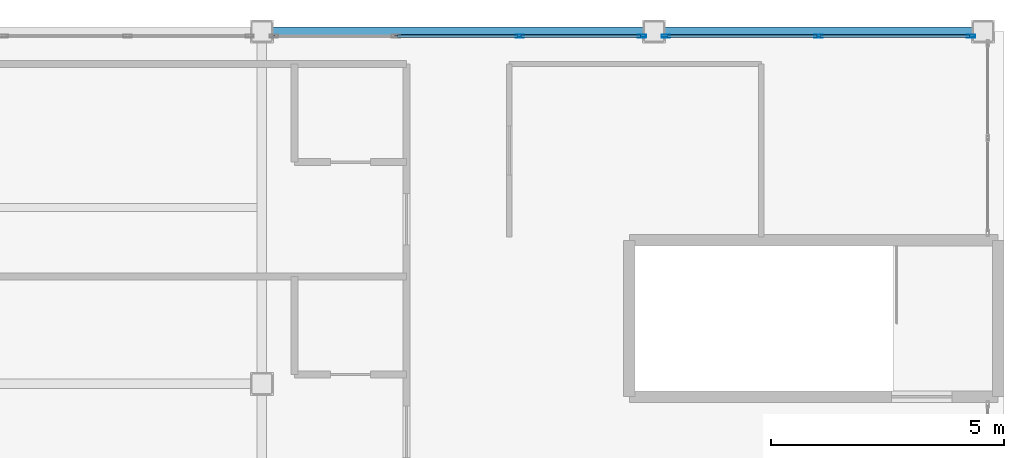
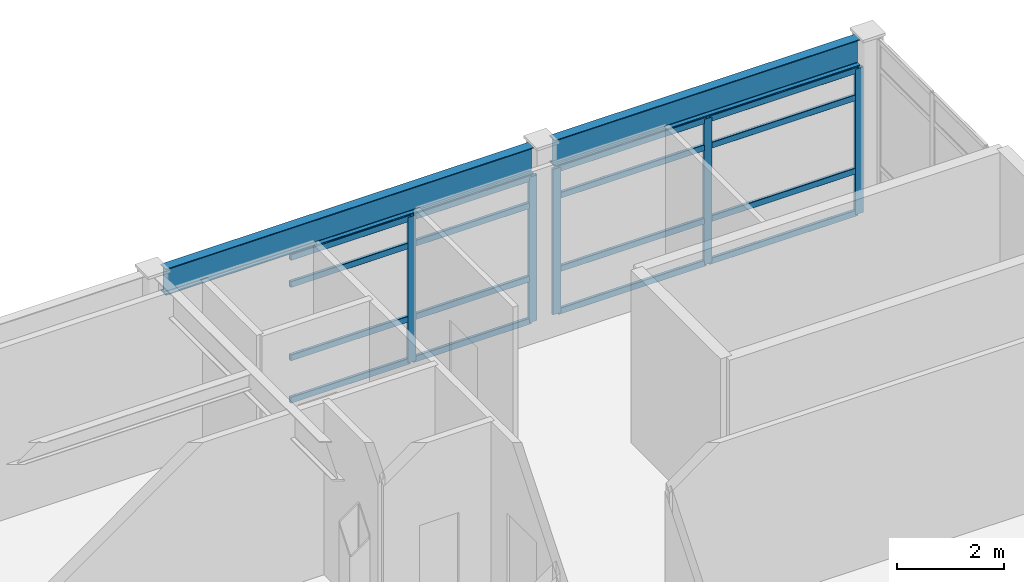
# One storey, part 26 of 34: 21 members, 2 beams, 2 elements without a shape of their own.
"""IFC4 building model written with IfcOpenShell, lengths in metres."""

from ifc_helpers import new_model, si_unit, direction, frame, origin, origin_2d, place, context, subcontext, project, spatial, hollow_rectangle, i_section, extrude, material, layer, layer_set, material_profile, profile_set, type_object, element, aggregate, save


model = new_model("IFC4")

# Units and contexts
model_context = context("Model", 3, precision=1e-05, world=origin(), true_north=direction((0.0, 1.0)))
body_context = subcontext(model_context, "Body", "Model", "MODEL_VIEW")
ifc_project = project(units=[si_unit("LENGTHUNIT", "METRE"), si_unit("AREAUNIT", "SQUARE_METRE"), si_unit("VOLUMEUNIT", "CUBIC_METRE"), si_unit("PLANEANGLEUNIT", "RADIAN"), si_unit("MASSUNIT", "GRAM", prefix="KILO")], contexts=[model_context])

# Site, building, storey
site_placement = place(None, origin())
site = spatial("IfcSite", under=ifc_project, at=site_placement, CompositionType="ELEMENT")
building_placement = place(site_placement, origin())
building = spatial("IfcBuilding", under=site, at=building_placement, Name="Kazehara Bluff Congress Hotel", CompositionType="ELEMENT")
storey_placement = place(building_placement, frame((0.0, 0.0, 46.199951171875)))
storey = spatial("IfcBuildingStorey", under=building, at=storey_placement, Name="L11", CompositionType="ELEMENT", Elevation=46.199951171875)

# Curtain wall, members
ifc_material_1 = material(Name="Anodised aluminium", Category="aluminium")
ifc_layer_1 = layer(ifc_material_1, 0.159912109375)
ifc_layer_set_1 = layer_set([ifc_layer_1], Name="Anodised aluminium")
curtain_wall_type_1 = type_object("IfcCurtainWallType", Name="TP-CW-206", PredefinedType="NOTDEFINED", material=ifc_layer_set_1)
curtain_wall_1_placement = place(storey_placement, origin())
curtain_wall_1 = element("IfcCurtainWall", 1, at=curtain_wall_1_placement, inside=storey, type_object=curtain_wall_type_1, Name="L11 curtain wall CW-206 CW-ENC-V5-L11-15630-8080", PredefinedType="NOTDEFINED")
ifc_material_2 = material(Name="Anodised aluminium", Category="aluminium")
ifc_material_profile_1 = material_profile(ifc_material_2, hollow_rectangle(XDim=0.06494140625, YDim=0.179931640625, WallThickness=0.00390625, InnerFilletRadius=0.00390625, OuterFilletRadius=0.008056640625, at=origin_2d()))
ifc_profile_set_1 = profile_set([ifc_material_profile_1], Name="Anodised aluminium")
member_type_1 = type_object("IfcMemberType", Name="TP-CWM-02", PredefinedType="MULLION", material=ifc_profile_set_1)
member_1_placement = place(storey_placement, frame((157.625, 80.800048828125, 0.0), z_axis=(0.0, 0.0, 1.0), x_axis=(0.0, 1.0, 0.0)))
member_1 = element("IfcMember", 2, at=member_1_placement, type_object=member_type_1, Name="CW-206 mullion 3", PredefinedType="MULLION", context=body_context, shape_type="SweptSolid", body=[
    extrude(hollow_rectangle(XDim=0.06494140625, YDim=0.179931640625, WallThickness=0.00390625, InnerFilletRadius=0.00390625, OuterFilletRadius=0.008056640625, at=origin_2d()), origin(), (0.0, 0.0, 1.0), 3.324951171875),
])
member_2_placement = place(storey_placement, frame((160.242431640625, 80.800048828125, 0.0), z_axis=(0.0, 0.0, 1.0), x_axis=(0.0, 1.0, 0.0)))
member_2 = element("IfcMember", 3, at=member_2_placement, type_object=member_type_1, Name="CW-206 mullion 4", PredefinedType="MULLION", context=body_context, shape_type="SweptSolid", body=[
    extrude(hollow_rectangle(XDim=0.06494140625, YDim=0.179931640625, WallThickness=0.00390625, InnerFilletRadius=0.00390625, OuterFilletRadius=0.008056640625, at=origin_2d()), origin(), (0.0, 0.0, 1.0), 3.324951171875),
])

ifc_material_3 = material(Name="Anodised aluminium", Category="aluminium")
ifc_layer_2 = layer(ifc_material_3, 0.159912109375)
ifc_layer_set_2 = layer_set([ifc_layer_2], Name="Anodised aluminium")
curtain_wall_type_2 = type_object("IfcCurtainWallType", Name="TP-CW-211", PredefinedType="NOTDEFINED", material=ifc_layer_set_2)
curtain_wall_2_placement = place(storey_placement, origin())
curtain_wall_2 = element("IfcCurtainWall", 4, at=curtain_wall_2_placement, inside=storey, type_object=curtain_wall_type_2, Name="L11 curtain wall CW-211 CW-ENC-V5-L11-16402-8080", PredefinedType="NOTDEFINED")
member_3_placement = place(storey_placement, frame((160.757568359375, 80.800048828125, 0.0), z_axis=(0.0, 0.0, 1.0), x_axis=(0.0, 1.0, 0.0)))
member_3 = element("IfcMember", 5, at=member_3_placement, type_object=member_type_1, Name="CW-211 mullion 1", PredefinedType="MULLION", context=body_context, shape_type="SweptSolid", body=[
    extrude(hollow_rectangle(XDim=0.06494140625, YDim=0.179931640625, WallThickness=0.00390625, InnerFilletRadius=0.00390625, OuterFilletRadius=0.008056640625, at=origin_2d()), origin(), (0.0, 0.0, 1.0), 3.324951171875),
])
member_4_placement = place(storey_placement, frame((164.02490234375, 80.800048828125, 0.0), z_axis=(0.0, 0.0, 1.0), x_axis=(0.0, 1.0, 0.0)))
member_4 = element("IfcMember", 6, at=member_4_placement, type_object=member_type_1, Name="CW-211 mullion 2", PredefinedType="MULLION", context=body_context, shape_type="SweptSolid", body=[
    extrude(hollow_rectangle(XDim=0.06494140625, YDim=0.179931640625, WallThickness=0.00390625, InnerFilletRadius=0.00390625, OuterFilletRadius=0.008056640625, at=origin_2d()), origin(), (0.0, 0.0, 1.0), 3.324951171875),
])
member_5_placement = place(storey_placement, frame((167.29248046875, 80.800048828125, 0.0), z_axis=(0.0, 0.0, 1.0), x_axis=(0.0, 1.0, 0.0)))
member_5 = element("IfcMember", 7, at=member_5_placement, type_object=member_type_1, Name="CW-211 mullion 3", PredefinedType="MULLION", context=body_context, shape_type="SweptSolid", body=[
    extrude(hollow_rectangle(XDim=0.06494140625, YDim=0.179931640625, WallThickness=0.00390625, InnerFilletRadius=0.00390625, OuterFilletRadius=0.008056640625, at=origin_2d()), origin(), (0.0, 0.0, 1.0), 3.324951171875),
])

# Member
ifc_material_4 = material(Name="Anodised aluminium", Category="aluminium")
ifc_material_profile_2 = material_profile(ifc_material_4, hollow_rectangle(XDim=0.06494140625, YDim=0.139892578125, WallThickness=0.00390625, InnerFilletRadius=0.00390625, OuterFilletRadius=0.008056640625, at=origin_2d()))
ifc_profile_set_2 = profile_set([ifc_material_profile_2], Name="Anodised aluminium")
member_type_2 = type_object("IfcMemberType", Name="TP-CWT-02", PredefinedType="USERDEFINED", material=ifc_profile_set_2)
member_6_placement = place(storey_placement, frame((155.007568359375, 80.800048828125, 0.032470703125), z_axis=(1.0, 0.0, 0.0), x_axis=(0.0, 1.0, 0.0)))
member_6 = element("IfcMember", 8, at=member_6_placement, type_object=member_type_2, Name="CW-206 transom 2.1", ObjectType="TRANSOM", PredefinedType="USERDEFINED", context=body_context, shape_type="SweptSolid", body=[
    extrude(hollow_rectangle(XDim=0.06494140625, YDim=0.139892578125, WallThickness=0.00390625, InnerFilletRadius=0.00390625, OuterFilletRadius=0.008056640625, at=origin_2d()), origin(), (0.0, 0.0, 1.0), 2.5849609375),
])

member_7_placement = place(storey_placement, frame((155.007568359375, 80.800048828125, 1.0), z_axis=(1.0, 0.0, 0.0), x_axis=(0.0, 1.0, 0.0)))
member_7 = element("IfcMember", 9, at=member_7_placement, type_object=member_type_2, Name="CW-206 transom 2.2", ObjectType="TRANSOM", PredefinedType="USERDEFINED", context=body_context, shape_type="SweptSolid", body=[
    extrude(hollow_rectangle(XDim=0.06494140625, YDim=0.139892578125, WallThickness=0.00390625, InnerFilletRadius=0.00390625, OuterFilletRadius=0.008056640625, at=origin_2d()), origin(), (0.0, 0.0, 1.0), 2.5849609375),
])

member_8_placement = place(storey_placement, frame((155.007568359375, 80.800048828125, 2.675048828125), z_axis=(1.0, 0.0, 0.0), x_axis=(0.0, 1.0, 0.0)))
member_8 = element("IfcMember", 10, at=member_8_placement, type_object=member_type_2, Name="CW-206 transom 2.3", ObjectType="TRANSOM", PredefinedType="USERDEFINED", context=body_context, shape_type="SweptSolid", body=[
    extrude(hollow_rectangle(XDim=0.06494140625, YDim=0.139892578125, WallThickness=0.00390625, InnerFilletRadius=0.00390625, OuterFilletRadius=0.008056640625, at=origin_2d()), origin(), (0.0, 0.0, 1.0), 2.5849609375),
])

member_9_placement = place(storey_placement, frame((155.007568359375, 80.800048828125, 3.29248046875), z_axis=(1.0, 0.0, 0.0), x_axis=(0.0, 1.0, 0.0)))
member_9 = element("IfcMember", 11, at=member_9_placement, type_object=member_type_2, Name="CW-206 transom 2.4", ObjectType="TRANSOM", PredefinedType="USERDEFINED", context=body_context, shape_type="SweptSolid", body=[
    extrude(hollow_rectangle(XDim=0.06494140625, YDim=0.139892578125, WallThickness=0.00390625, InnerFilletRadius=0.00390625, OuterFilletRadius=0.008056640625, at=origin_2d()), origin(), (0.0, 0.0, 1.0), 2.5849609375),
])

member_10_placement = place(storey_placement, frame((157.657470703125, 80.800048828125, 0.032470703125), z_axis=(1.0, 0.0, 0.0), x_axis=(0.0, 1.0, 0.0)))
member_10 = element("IfcMember", 12, at=member_10_placement, type_object=member_type_2, Name="CW-206 transom 3.1", ObjectType="TRANSOM", PredefinedType="USERDEFINED", context=body_context, shape_type="SweptSolid", body=[
    extrude(hollow_rectangle(XDim=0.06494140625, YDim=0.139892578125, WallThickness=0.00390625, InnerFilletRadius=0.00390625, OuterFilletRadius=0.008056640625, at=origin_2d()), origin(), (0.0, 0.0, 1.0), 2.552490234375),
])

member_11_placement = place(storey_placement, frame((157.657470703125, 80.800048828125, 1.0), z_axis=(1.0, 0.0, 0.0), x_axis=(0.0, 1.0, 0.0)))
member_11 = element("IfcMember", 13, at=member_11_placement, type_object=member_type_2, Name="CW-206 transom 3.2", ObjectType="TRANSOM", PredefinedType="USERDEFINED", context=body_context, shape_type="SweptSolid", body=[
    extrude(hollow_rectangle(XDim=0.06494140625, YDim=0.139892578125, WallThickness=0.00390625, InnerFilletRadius=0.00390625, OuterFilletRadius=0.008056640625, at=origin_2d()), origin(), (0.0, 0.0, 1.0), 2.552490234375),
])

member_12_placement = place(storey_placement, frame((157.657470703125, 80.800048828125, 2.675048828125), z_axis=(1.0, 0.0, 0.0), x_axis=(0.0, 1.0, 0.0)))
member_12 = element("IfcMember", 14, at=member_12_placement, type_object=member_type_2, Name="CW-206 transom 3.3", ObjectType="TRANSOM", PredefinedType="USERDEFINED", context=body_context, shape_type="SweptSolid", body=[
    extrude(hollow_rectangle(XDim=0.06494140625, YDim=0.139892578125, WallThickness=0.00390625, InnerFilletRadius=0.00390625, OuterFilletRadius=0.008056640625, at=origin_2d()), origin(), (0.0, 0.0, 1.0), 2.552490234375),
])

member_13_placement = place(storey_placement, frame((157.657470703125, 80.800048828125, 3.29248046875), z_axis=(1.0, 0.0, 0.0), x_axis=(0.0, 1.0, 0.0)))
member_13 = element("IfcMember", 15, at=member_13_placement, type_object=member_type_2, Name="CW-206 transom 3.4", ObjectType="TRANSOM", PredefinedType="USERDEFINED", context=body_context, shape_type="SweptSolid", body=[
    extrude(hollow_rectangle(XDim=0.06494140625, YDim=0.139892578125, WallThickness=0.00390625, InnerFilletRadius=0.00390625, OuterFilletRadius=0.008056640625, at=origin_2d()), origin(), (0.0, 0.0, 1.0), 2.552490234375),
])

aggregate(curtain_wall_1, [member_1, member_2, member_6, member_7, member_8, member_9, member_10, member_11, member_12, member_13])

member_14_placement = place(storey_placement, frame((160.7900390625, 80.800048828125, 0.032470703125), z_axis=(1.0, 0.0, 0.0), x_axis=(0.0, 1.0, 0.0)))
member_14 = element("IfcMember", 16, at=member_14_placement, type_object=member_type_2, Name="CW-211 transom 1.1", ObjectType="TRANSOM", PredefinedType="USERDEFINED", context=body_context, shape_type="SweptSolid", body=[
    extrude(hollow_rectangle(XDim=0.06494140625, YDim=0.139892578125, WallThickness=0.00390625, InnerFilletRadius=0.00390625, OuterFilletRadius=0.008056640625, at=origin_2d()), origin(), (0.0, 0.0, 1.0), 3.202392578125),
])

member_15_placement = place(storey_placement, frame((160.7900390625, 80.800048828125, 1.0), z_axis=(1.0, 0.0, 0.0), x_axis=(0.0, 1.0, 0.0)))
member_15 = element("IfcMember", 17, at=member_15_placement, type_object=member_type_2, Name="CW-211 transom 1.2", ObjectType="TRANSOM", PredefinedType="USERDEFINED", context=body_context, shape_type="SweptSolid", body=[
    extrude(hollow_rectangle(XDim=0.06494140625, YDim=0.139892578125, WallThickness=0.00390625, InnerFilletRadius=0.00390625, OuterFilletRadius=0.008056640625, at=origin_2d()), origin(), (0.0, 0.0, 1.0), 3.202392578125),
])

member_16_placement = place(storey_placement, frame((160.7900390625, 80.800048828125, 2.675048828125), z_axis=(1.0, 0.0, 0.0), x_axis=(0.0, 1.0, 0.0)))
member_16 = element("IfcMember", 18, at=member_16_placement, type_object=member_type_2, Name="CW-211 transom 1.3", ObjectType="TRANSOM", PredefinedType="USERDEFINED", context=body_context, shape_type="SweptSolid", body=[
    extrude(hollow_rectangle(XDim=0.06494140625, YDim=0.139892578125, WallThickness=0.00390625, InnerFilletRadius=0.00390625, OuterFilletRadius=0.008056640625, at=origin_2d()), origin(), (0.0, 0.0, 1.0), 3.202392578125),
])

member_17_placement = place(storey_placement, frame((160.7900390625, 80.800048828125, 3.29248046875), z_axis=(1.0, 0.0, 0.0), x_axis=(0.0, 1.0, 0.0)))
member_17 = element("IfcMember", 19, at=member_17_placement, type_object=member_type_2, Name="CW-211 transom 1.4", ObjectType="TRANSOM", PredefinedType="USERDEFINED", context=body_context, shape_type="SweptSolid", body=[
    extrude(hollow_rectangle(XDim=0.06494140625, YDim=0.139892578125, WallThickness=0.00390625, InnerFilletRadius=0.00390625, OuterFilletRadius=0.008056640625, at=origin_2d()), origin(), (0.0, 0.0, 1.0), 3.202392578125),
])

member_18_placement = place(storey_placement, frame((164.0576171875, 80.800048828125, 0.032470703125), z_axis=(1.0, 0.0, 0.0), x_axis=(0.0, 1.0, 0.0)))
member_18 = element("IfcMember", 20, at=member_18_placement, type_object=member_type_2, Name="CW-211 transom 2.1", ObjectType="TRANSOM", PredefinedType="USERDEFINED", context=body_context, shape_type="SweptSolid", body=[
    extrude(hollow_rectangle(XDim=0.06494140625, YDim=0.139892578125, WallThickness=0.00390625, InnerFilletRadius=0.00390625, OuterFilletRadius=0.008056640625, at=origin_2d()), origin(), (0.0, 0.0, 1.0), 3.202392578125),
])

member_19_placement = place(storey_placement, frame((164.0576171875, 80.800048828125, 1.0), z_axis=(1.0, 0.0, 0.0), x_axis=(0.0, 1.0, 0.0)))
member_19 = element("IfcMember", 21, at=member_19_placement, type_object=member_type_2, Name="CW-211 transom 2.2", ObjectType="TRANSOM", PredefinedType="USERDEFINED", context=body_context, shape_type="SweptSolid", body=[
    extrude(hollow_rectangle(XDim=0.06494140625, YDim=0.139892578125, WallThickness=0.00390625, InnerFilletRadius=0.00390625, OuterFilletRadius=0.008056640625, at=origin_2d()), origin(), (0.0, 0.0, 1.0), 3.202392578125),
])

member_20_placement = place(storey_placement, frame((164.0576171875, 80.800048828125, 2.675048828125), z_axis=(1.0, 0.0, 0.0), x_axis=(0.0, 1.0, 0.0)))
member_20 = element("IfcMember", 22, at=member_20_placement, type_object=member_type_2, Name="CW-211 transom 2.3", ObjectType="TRANSOM", PredefinedType="USERDEFINED", context=body_context, shape_type="SweptSolid", body=[
    extrude(hollow_rectangle(XDim=0.06494140625, YDim=0.139892578125, WallThickness=0.00390625, InnerFilletRadius=0.00390625, OuterFilletRadius=0.008056640625, at=origin_2d()), origin(), (0.0, 0.0, 1.0), 3.202392578125),
])

member_21_placement = place(storey_placement, frame((164.0576171875, 80.800048828125, 3.29248046875), z_axis=(1.0, 0.0, 0.0), x_axis=(0.0, 1.0, 0.0)))
member_21 = element("IfcMember", 23, at=member_21_placement, type_object=member_type_2, Name="CW-211 transom 2.4", ObjectType="TRANSOM", PredefinedType="USERDEFINED", context=body_context, shape_type="SweptSolid", body=[
    extrude(hollow_rectangle(XDim=0.06494140625, YDim=0.139892578125, WallThickness=0.00390625, InnerFilletRadius=0.00390625, OuterFilletRadius=0.008056640625, at=origin_2d()), origin(), (0.0, 0.0, 1.0), 3.202392578125),
])

aggregate(curtain_wall_2, [member_3, member_4, member_5, member_14, member_15, member_16, member_17, member_18, member_19, member_20, member_21])

# Beams
ifc_material_5 = material(Name="Steel SN490B", Category="steel")
ifc_material_profile_3 = material_profile(ifc_material_5, i_section(OverallWidth=0.199951171875, OverallDepth=0.60009765625, WebThickness=0.010986328125, FlangeThickness=0.01708984375, FilletRadius=0.012939453125, at=origin_2d()))
ifc_profile_set_3 = profile_set([ifc_material_profile_3], Name="Steel SN490B")
beam_type = type_object("IfcBeamType", Name="TP-SP-02", PredefinedType="SPANDREL", material=ifc_profile_set_3)
beam_1_placement = place(storey_placement, frame((152.324951171875, 80.89990234375, 3.650146484375), z_axis=(1.0, 0.0, 0.0), x_axis=(0.0, 1.0, 0.0)))
element("IfcBeam", 24, at=beam_1_placement, inside=storey, type_object=beam_type, Name="L11 girder SP-02 46", PredefinedType="SPANDREL", context=body_context, shape_type="SweptSolid", body=[
    extrude(i_section(OverallWidth=0.199951171875, OverallDepth=0.60009765625, WebThickness=0.010986328125, FlangeThickness=0.01708984375, FilletRadius=0.012939453125, at=origin_2d()), origin(), (0.0, 0.0, 1.0), 7.949951171875),
])
beam_2_placement = place(storey_placement, frame((160.72509765625, 80.89990234375, 3.650146484375), z_axis=(1.0, 0.0, 0.0), x_axis=(0.0, 1.0, 0.0)))
element("IfcBeam", 25, at=beam_2_placement, inside=storey, type_object=beam_type, Name="L11 girder SP-02 47", PredefinedType="SPANDREL", context=body_context, shape_type="SweptSolid", body=[
    extrude(i_section(OverallWidth=0.199951171875, OverallDepth=0.60009765625, WebThickness=0.010986328125, FlangeThickness=0.01708984375, FilletRadius=0.012939453125, at=origin_2d()), origin(), (0.0, 0.0, 1.0), 6.599853515625),
])

save(model, "model.ifc")
